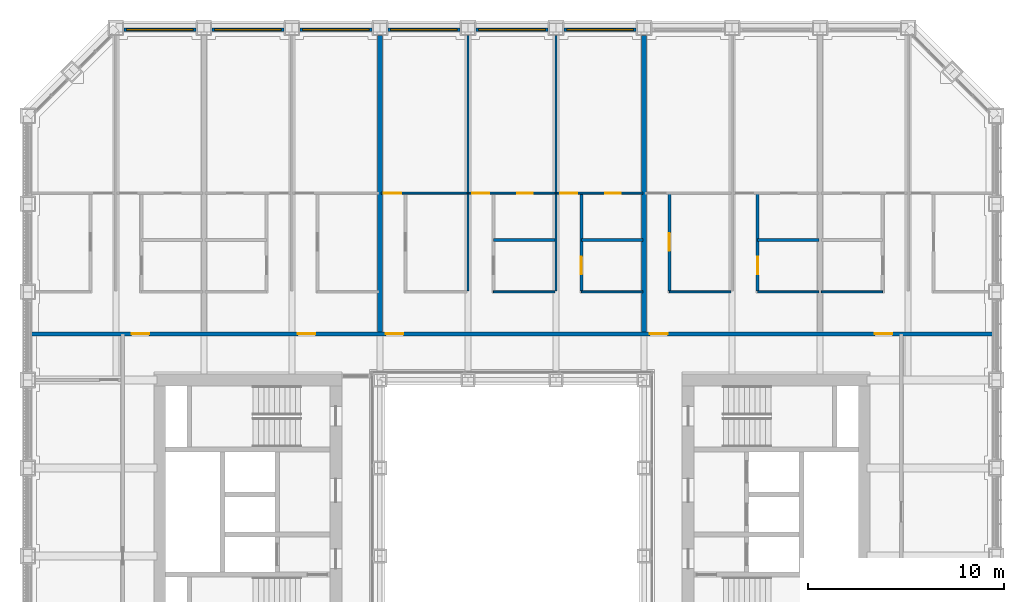
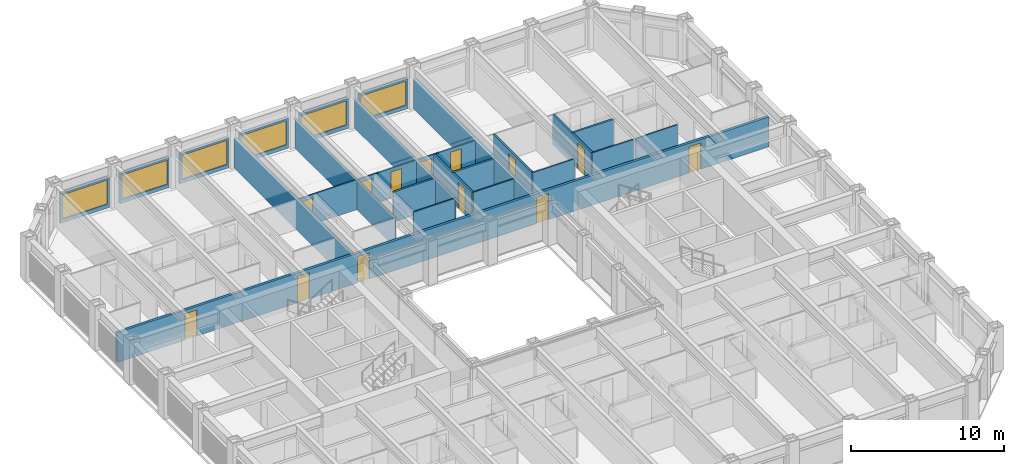
# One storey, part 14 of 21: 25 walls, 13 doors, 6 windows, 19 openings.
"""IFC4 building model written with IfcOpenShell, lengths in metres."""

import ifcopenshell
import ifcopenshell.guid

model = None  # the IFC model being written
_history = None  # IfcOwnerHistory: only IFC2X3 demands one
_inside = {}  # id of a spatial element -> (the spatial element, [elements in it])
_under = {}  # id of a project, library or spatial element -> (it, [spatial elements below it])
_declared = {}  # id of a project -> (the project, [libraries it declares])
_typed = {}  # id of a type object -> (the type object, [elements of that type])
_made_of = {}  # id of a material, layer set ... -> (it, [elements and type objects made of it])


def new_model(schema):
    """Start an empty IFC model of exactly this schema.

    Asked for "IFC4X3", IfcOpenShell would pick the latest addendum, in which some entities
    have other attributes; the version numbers below select the first issue.
    IFC2X3 requires an IfcOwnerHistory on every rooted entity: one is made here for all.
    """
    global model, _history
    if schema == "IFC4X3":
        model = ifcopenshell.file(schema_version=(4, 3, 0, 0))
    else:
        model = ifcopenshell.file(schema=schema)
    _inside.clear()
    _under.clear()
    _declared.clear()
    _typed.clear()
    _made_of.clear()
    _history = None
    if model.schema == "IFC2X3":
        org = make("IfcOrganization", Name="unknown")
        user = make(
            "IfcPersonAndOrganization",
            ThePerson=make("IfcPerson", FamilyName="unknown"),
            TheOrganization=org,
        )
        app = make(
            "IfcApplication",
            ApplicationDeveloper=org,
            Version="unknown",
            ApplicationFullName="unknown",
            ApplicationIdentifier="unknown",
        )
        _history = make(
            "IfcOwnerHistory",
            OwningUser=user,
            OwningApplication=app,
            ChangeAction="ADDED",
            CreationDate=0,
        )
    return model


def make(cls, **values):
    """One entity of the class cls with the attributes given. An attribute that is None is left unset."""
    return model.create_entity(
        cls, **{name: value for name, value in values.items() if value is not None}
    )


def rooted(cls, **values):
    """An entity with a GlobalId (a new one), such as an element, a storey or a relation."""
    return make(cls, GlobalId=ifcopenshell.guid.new(), OwnerHistory=_history, **values)


def si_unit(unit_type, name, prefix=None):
    """IfcSIUnit, for example si_unit("LENGTHUNIT", "METRE", prefix="MILLI")."""
    return make("IfcSIUnit", UnitType=unit_type, Prefix=prefix, Name=name)


def assignment(units):
    """IfcUnitAssignment: the units of a project."""
    return None if units is None else make("IfcUnitAssignment", Units=units)


def point(xyz):
    """IfcCartesianPoint."""
    return None if xyz is None else make("IfcCartesianPoint", Coordinates=xyz)


def direction(xyz):
    """IfcDirection."""
    return None if xyz is None else make("IfcDirection", DirectionRatios=xyz)


def frame(location, z_axis=None, x_axis=None):
    """IfcAxis2Placement3D, a coordinate frame: its origin and axes. An axis left out is left unset."""
    return make(
        "IfcAxis2Placement3D",
        Location=point(location),
        Axis=direction(z_axis),
        RefDirection=direction(x_axis),
    )


def frame_2d(location, x_axis=None):
    """IfcAxis2Placement2D, a coordinate frame in the plane: its origin and x axis."""
    return make(
        "IfcAxis2Placement2D", Location=point(location), RefDirection=direction(x_axis)
    )


def origin():
    """The frame at (0, 0, 0) with its axes left unset."""
    return frame((0.0, 0.0, 0.0))


def place(relative_to, where):
    """IfcLocalPlacement: puts the frame where relative to a parent placement (None: the world)."""
    return make(
        "IfcLocalPlacement", PlacementRelTo=relative_to, RelativePlacement=where
    )


def context(
    kind, dimensions, precision=None, world=None, true_north=None, identifier=None
):
    """IfcGeometricRepresentationContext, for example the 3D "Model" context."""
    return make(
        "IfcGeometricRepresentationContext",
        ContextIdentifier=identifier,
        ContextType=kind,
        CoordinateSpaceDimension=dimensions,
        Precision=precision,
        WorldCoordinateSystem=world,
        TrueNorth=true_north,
    )


def subcontext(parent, identifier, kind, view, scale=None):
    """IfcGeometricRepresentationSubContext, for example "Body" below "Model"."""
    return make(
        "IfcGeometricRepresentationSubContext",
        ContextIdentifier=identifier,
        ContextType=kind,
        ParentContext=parent,
        TargetScale=scale,
        TargetView=view,
    )


def project(units=None, contexts=None):
    """IfcProject with its units and contexts."""
    return rooted(
        "IfcProject",
        Name="project",
        RepresentationContexts=contexts,
        UnitsInContext=assignment(units),
    )


def spatial(cls, under=None, at=None, **own):
    """A site, building, storey or space (cls), placed at a placement, below another one or the project."""
    s = rooted(cls, ObjectPlacement=at, **own)
    if under is not None:
        _under.setdefault(under.id(), (under, []))[1].append(s)
    return s


def profile(cls, at=None, kind="AREA", **sizes):
    """A parametric profile (cls). Its sizes go by their IFC names, for example OverallWidth=200.0."""
    return make(cls, ProfileType=kind, Position=at, **sizes)


def rectangle(**sizes):
    """IfcRectangleProfileDef."""
    return profile("IfcRectangleProfileDef", **sizes)


def extrude(swept, where, along, depth):
    """IfcExtrudedAreaSolid: the profile swept, set in the frame where, extruded along a direction by depth."""
    return make(
        "IfcExtrudedAreaSolid",
        SweptArea=swept,
        Position=where,
        ExtrudedDirection=direction(along),
        Depth=depth,
    )


def shape(context_of_items, identifier, shape_type, items):
    """IfcShapeRepresentation: the items that make up one representation, for example the "Body"."""
    return make(
        "IfcShapeRepresentation",
        ContextOfItems=context_of_items,
        RepresentationIdentifier=identifier,
        RepresentationType=shape_type,
        Items=items,
    )


def material(Name=None, Category=None):
    """IfcMaterial."""
    return make("IfcMaterial", Name=Name, Category=Category)


def layer(
    of_material, thickness, ventilated=None, Name=None, Category=None, Priority=None
):
    """IfcMaterialLayer: one layer of a wall or slab, of a material (None: an air gap)."""
    return make(
        "IfcMaterialLayer",
        Material=of_material,
        LayerThickness=thickness,
        IsVentilated=ventilated,
        Name=Name,
        Category=Category,
        Priority=Priority,
    )


def layer_set(layers, Name=None):
    """IfcMaterialLayerSet."""
    return make("IfcMaterialLayerSet", MaterialLayers=layers, LayerSetName=Name)


def made_of(thing, what):
    """Note that an element or type object is made of a material, layer set ...; save() writes the relation."""
    if what is not None:
        _made_of.setdefault(what.id(), (what, []))[1].append(thing)
    return thing


def type_object(cls, material=None, **own):
    """A type object (cls), such as IfcWallType, which elements share."""
    return made_of(rooted(cls, **own), material)


def element(
    cls,
    number,
    at=None,
    inside=None,
    cuts=None,
    type_object=None,
    material=None,
    context=None,
    identifier="Body",
    shape_type=None,
    held_by="IfcProductDefinitionShape",
    body=None,
    shapes=None,
    **own,
):
    """One element of the class cls, such as IfcWall. Its Tag is "e" and its number.

    at: its placement. inside: the storey or other place that contains it. cuts: it is an
    opening in that element (IfcRelVoidsElement). A single representation is given by context,
    identifier, shape_type and body (its items); several are given by shapes. held_by: the class
    of the entity that holds the representations. save() writes the other relations.
    """
    e = rooted(cls, Tag="e%d" % number, ObjectPlacement=at, **own)
    if body is not None:
        shapes = [shape(context, identifier, shape_type, body)]
    if shapes is not None:
        e.Representation = make(held_by, Representations=shapes)
    if inside is not None:
        _inside.setdefault(inside.id(), (inside, []))[1].append(e)
    if cuts is not None:
        rooted(
            "IfcRelVoidsElement", RelatingBuildingElement=cuts, RelatedOpeningElement=e
        )
    if type_object is not None:
        _typed.setdefault(type_object.id(), (type_object, []))[1].append(e)
    return made_of(e, material)


def fill(opening, filler):
    """IfcRelFillsElement: the door or window that sits in an opening."""
    return rooted(
        "IfcRelFillsElement",
        RelatingOpeningElement=opening,
        RelatedBuildingElement=filler,
    )


def aggregate(whole, parts):
    """IfcRelAggregates: a whole, such as a stair, and the parts it consists of."""
    return rooted("IfcRelAggregates", RelatingObject=whole, RelatedObjects=parts)


def save(model, path):
    """Write the relations noted so far, then the file.

    IfcRelAggregates (storeys below a building ...), IfcRelContainedInSpatialStructure (elements
    in a storey), IfcRelDefinesByType, IfcRelAssociatesMaterial and IfcRelDeclares: one each for
    every whole, place, type object, material and project.
    """
    for whole, parts in _under.values():
        aggregate(whole, parts)
    for where, things in _inside.values():
        rooted(
            "IfcRelContainedInSpatialStructure",
            RelatedElements=things,
            RelatingStructure=where,
        )
    for kind, things in _typed.values():
        rooted("IfcRelDefinesByType", RelatedObjects=things, RelatingType=kind)
    for what, things in _made_of.values():
        rooted("IfcRelAssociatesMaterial", RelatedObjects=things, RelatingMaterial=what)
    for by, libraries in _declared.values():
        rooted("IfcRelDeclares", RelatingContext=by, RelatedDefinitions=libraries)
    model.write(path)


model = new_model("IFC4")

# Units and contexts
model_context = context("Model", 3, precision=1e-05, world=origin(), true_north=direction((0.0, 1.0)))
body_context = subcontext(model_context, "Body", "Model", "MODEL_VIEW")
ifc_project = project(units=[si_unit("LENGTHUNIT", "METRE"), si_unit("AREAUNIT", "SQUARE_METRE"), si_unit("VOLUMEUNIT", "CUBIC_METRE"), si_unit("PLANEANGLEUNIT", "RADIAN"), si_unit("MASSUNIT", "GRAM", prefix="KILO")], contexts=[model_context])

# Site, building, storey
site_placement = place(None, origin())
site = spatial("IfcSite", under=ifc_project, at=site_placement, CompositionType="ELEMENT")
building_placement = place(site_placement, origin())
building = spatial("IfcBuilding", under=site, at=building_placement, Name="Msasa Ring Tower", CompositionType="ELEMENT")
storey_placement = place(building_placement, frame((0.0, 0.0, 47.5)))
storey = spatial("IfcBuildingStorey", under=building, at=storey_placement, Name="L11", CompositionType="ELEMENT", Elevation=47.5)

# Wall, opening, window
ifc_material_1 = material(Name="Terracotta rainscreen on blockwork", Category="masonry")
ifc_layer_1 = layer(ifc_material_1, 0.199951171875)
ifc_layer_set_1 = layer_set([ifc_layer_1], Name="FW1 TERRACOTTA-LINED INFILL BAY WALL 200")
wall_type_1 = type_object("IfcWallType", Name="FW1 TERRACOTTA-LINED INFILL BAY WALL 200", PredefinedType="SOLIDWALL", material=ifc_layer_set_1)
wall_1_placement = place(storey_placement, frame((-19.844970703125, 24.64990234375, 0.0), z_axis=(0.0, 0.0, 1.0), x_axis=(1.0, 0.0, 0.0)))
wall_1 = element("IfcWall", 1, at=wall_1_placement, inside=storey, type_object=wall_type_1, Name="Infill bay wall N L11 22", PredefinedType="SOLIDWALL", context=body_context, shape_type="SweptSolid", body=[
    extrude(rectangle(XDim=3.68994140625, YDim=0.199951171875, at=frame_2d((1.844970703125, 0.0))), origin(), (0.0, 0.0, 1.0), 2.37890625),
])
opening_1_placement = place(wall_1_placement, frame((0.14501953125, 0.0, 0.300048828125)))
opening_1 = element("IfcOpeningElement", 2, at=opening_1_placement, cuts=wall_1, Name="Opening WN1", PredefinedType="OPENING", context=body_context, shape_type="SweptSolid", body=[
    extrude(rectangle(XDim=3.39990234375, YDim=1.928955078125, at=frame_2d((1.699951171875, 0.96435546875))), frame((0.0, 0.10986328125, 0.0), z_axis=(0.0, -1.0, 0.0), x_axis=(1.0, 0.0, 0.0)), (0.0, 0.0, 1.0), 0.219970703125),
])
ifc_material_2 = material(Name="Aluminium frame with clear glass", Category="aluminium")
window_type = type_object("IfcWindowType", Name="WN1 RESIDENCE WINDOW 3400x1929", PartitioningType="SINGLE_PANEL", PredefinedType="WINDOW", material=ifc_material_2)
window_1_placement = place(opening_1_placement, origin())
window_1 = element("IfcWindow", 3, at=window_1_placement, inside=storey, type_object=window_type, Name="Window N L11 22", OverallHeight=1.928955078125, OverallWidth=3.39990234375, PartitioningType="SINGLE_PANEL", PredefinedType="WINDOW", context=body_context, shape_type="SweptSolid", body=[
    extrude(rectangle(XDim=3.39990234375, YDim=1.928955078125, at=frame_2d((1.699951171875, 0.96435546875))), frame((0.0, 0.030029296875, 0.0), z_axis=(0.0, -1.0, 0.0), x_axis=(1.0, 0.0, 0.0)), (0.0, 0.0, 1.0), 0.06005859375),
])
fill(opening_1, window_1)

wall_2_placement = place(storey_placement, frame((-15.344970703125, 24.64990234375, 0.0), z_axis=(0.0, 0.0, 1.0), x_axis=(1.0, 0.0, 0.0)))
wall_2 = element("IfcWall", 4, at=wall_2_placement, inside=storey, type_object=wall_type_1, Name="Infill bay wall N L11 23", PredefinedType="SOLIDWALL", context=body_context, shape_type="SweptSolid", body=[
    extrude(rectangle(XDim=3.68994140625, YDim=0.199951171875, at=frame_2d((1.844970703125, 0.0))), origin(), (0.0, 0.0, 1.0), 2.37890625),
])
opening_2_placement = place(wall_2_placement, frame((0.14501953125, 0.0, 0.300048828125)))
opening_2 = element("IfcOpeningElement", 5, at=opening_2_placement, cuts=wall_2, Name="Opening WN1", PredefinedType="OPENING", context=body_context, shape_type="SweptSolid", body=[
    extrude(rectangle(XDim=3.39990234375, YDim=1.928955078125, at=frame_2d((1.699951171875, 0.96435546875))), frame((0.0, 0.10986328125, 0.0), z_axis=(0.0, -1.0, 0.0), x_axis=(1.0, 0.0, 0.0)), (0.0, 0.0, 1.0), 0.219970703125),
])
window_2_placement = place(opening_2_placement, origin())
window_2 = element("IfcWindow", 6, at=window_2_placement, inside=storey, type_object=window_type, Name="Window N L11 23", OverallHeight=1.928955078125, OverallWidth=3.39990234375, PartitioningType="SINGLE_PANEL", PredefinedType="WINDOW", context=body_context, shape_type="SweptSolid", body=[
    extrude(rectangle(XDim=3.39990234375, YDim=1.928955078125, at=frame_2d((1.699951171875, 0.96435546875))), frame((0.0, 0.030029296875, 0.0), z_axis=(0.0, -1.0, 0.0), x_axis=(1.0, 0.0, 0.0)), (0.0, 0.0, 1.0), 0.06005859375),
])
fill(opening_2, window_2)

wall_3_placement = place(storey_placement, frame((-10.844970703125, 24.64990234375, 0.0), z_axis=(0.0, 0.0, 1.0), x_axis=(1.0, 0.0, 0.0)))
wall_3 = element("IfcWall", 7, at=wall_3_placement, inside=storey, type_object=wall_type_1, Name="Infill bay wall N L11 24", PredefinedType="SOLIDWALL", context=body_context, shape_type="SweptSolid", body=[
    extrude(rectangle(XDim=3.68994140625, YDim=0.199951171875, at=frame_2d((1.844970703125, 0.0))), origin(), (0.0, 0.0, 1.0), 2.37890625),
])
opening_3_placement = place(wall_3_placement, frame((0.14501953125, 0.0, 0.300048828125)))
opening_3 = element("IfcOpeningElement", 8, at=opening_3_placement, cuts=wall_3, Name="Opening WN1", PredefinedType="OPENING", context=body_context, shape_type="SweptSolid", body=[
    extrude(rectangle(XDim=3.39990234375, YDim=1.928955078125, at=frame_2d((1.699951171875, 0.96435546875))), frame((0.0, 0.10986328125, 0.0), z_axis=(0.0, -1.0, 0.0), x_axis=(1.0, 0.0, 0.0)), (0.0, 0.0, 1.0), 0.219970703125),
])
window_3_placement = place(opening_3_placement, origin())
window_3 = element("IfcWindow", 9, at=window_3_placement, inside=storey, type_object=window_type, Name="Window N L11 24", OverallHeight=1.928955078125, OverallWidth=3.39990234375, PartitioningType="SINGLE_PANEL", PredefinedType="WINDOW", context=body_context, shape_type="SweptSolid", body=[
    extrude(rectangle(XDim=3.39990234375, YDim=1.928955078125, at=frame_2d((1.699951171875, 0.96435546875))), frame((0.0, 0.030029296875, 0.0), z_axis=(0.0, -1.0, 0.0), x_axis=(1.0, 0.0, 0.0)), (0.0, 0.0, 1.0), 0.06005859375),
])
fill(opening_3, window_3)

wall_4_placement = place(storey_placement, frame((-6.344970703125, 24.64990234375, 0.0), z_axis=(0.0, 0.0, 1.0), x_axis=(1.0, 0.0, 0.0)))
wall_4 = element("IfcWall", 10, at=wall_4_placement, inside=storey, type_object=wall_type_1, Name="Infill bay wall N L11 25", PredefinedType="SOLIDWALL", context=body_context, shape_type="SweptSolid", body=[
    extrude(rectangle(XDim=3.68994140625, YDim=0.199951171875, at=frame_2d((1.844970703125, 0.0))), origin(), (0.0, 0.0, 1.0), 2.37890625),
])
opening_4_placement = place(wall_4_placement, frame((0.14501953125, 0.0, 0.300048828125)))
opening_4 = element("IfcOpeningElement", 11, at=opening_4_placement, cuts=wall_4, Name="Opening WN1", PredefinedType="OPENING", context=body_context, shape_type="SweptSolid", body=[
    extrude(rectangle(XDim=3.39990234375, YDim=1.928955078125, at=frame_2d((1.699951171875, 0.96435546875))), frame((0.0, 0.10986328125, 0.0), z_axis=(0.0, -1.0, 0.0), x_axis=(1.0, 0.0, 0.0)), (0.0, 0.0, 1.0), 0.219970703125),
])
window_4_placement = place(opening_4_placement, origin())
window_4 = element("IfcWindow", 12, at=window_4_placement, inside=storey, type_object=window_type, Name="Window N L11 25", OverallHeight=1.928955078125, OverallWidth=3.39990234375, PartitioningType="SINGLE_PANEL", PredefinedType="WINDOW", context=body_context, shape_type="SweptSolid", body=[
    extrude(rectangle(XDim=3.39990234375, YDim=1.928955078125, at=frame_2d((1.699951171875, 0.96435546875))), frame((0.0, 0.030029296875, 0.0), z_axis=(0.0, -1.0, 0.0), x_axis=(1.0, 0.0, 0.0)), (0.0, 0.0, 1.0), 0.06005859375),
])
fill(opening_4, window_4)

wall_5_placement = place(storey_placement, frame((-1.844970703125, 24.64990234375, 0.0), z_axis=(0.0, 0.0, 1.0), x_axis=(1.0, 0.0, 0.0)))
wall_5 = element("IfcWall", 13, at=wall_5_placement, inside=storey, type_object=wall_type_1, Name="Infill bay wall N L11 26", PredefinedType="SOLIDWALL", context=body_context, shape_type="SweptSolid", body=[
    extrude(rectangle(XDim=3.68994140625, YDim=0.199951171875, at=frame_2d((1.844970703125, 0.0))), origin(), (0.0, 0.0, 1.0), 2.37890625),
])
opening_5_placement = place(wall_5_placement, frame((0.14501953125, 0.0, 0.300048828125)))
opening_5 = element("IfcOpeningElement", 14, at=opening_5_placement, cuts=wall_5, Name="Opening WN1", PredefinedType="OPENING", context=body_context, shape_type="SweptSolid", body=[
    extrude(rectangle(XDim=3.39990234375, YDim=1.928955078125, at=frame_2d((1.699951171875, 0.96435546875))), frame((0.0, 0.10986328125, 0.0), z_axis=(0.0, -1.0, 0.0), x_axis=(1.0, 0.0, 0.0)), (0.0, 0.0, 1.0), 0.219970703125),
])
window_5_placement = place(opening_5_placement, origin())
window_5 = element("IfcWindow", 15, at=window_5_placement, inside=storey, type_object=window_type, Name="Window N L11 26", OverallHeight=1.928955078125, OverallWidth=3.39990234375, PartitioningType="SINGLE_PANEL", PredefinedType="WINDOW", context=body_context, shape_type="SweptSolid", body=[
    extrude(rectangle(XDim=3.39990234375, YDim=1.928955078125, at=frame_2d((1.699951171875, 0.96435546875))), frame((0.0, 0.030029296875, 0.0), z_axis=(0.0, -1.0, 0.0), x_axis=(1.0, 0.0, 0.0)), (0.0, 0.0, 1.0), 0.06005859375),
])
fill(opening_5, window_5)

wall_6_placement = place(storey_placement, frame((2.655029296875, 24.64990234375, 0.0), z_axis=(0.0, 0.0, 1.0), x_axis=(1.0, 0.0, 0.0)))
wall_6 = element("IfcWall", 16, at=wall_6_placement, inside=storey, type_object=wall_type_1, Name="Infill bay wall N L11 27", PredefinedType="SOLIDWALL", context=body_context, shape_type="SweptSolid", body=[
    extrude(rectangle(XDim=3.68994140625, YDim=0.199951171875, at=frame_2d((1.844970703125, 0.0))), origin(), (0.0, 0.0, 1.0), 2.37890625),
])
opening_6_placement = place(wall_6_placement, frame((0.14501953125, 0.0, 0.300048828125)))
opening_6 = element("IfcOpeningElement", 17, at=opening_6_placement, cuts=wall_6, Name="Opening WN1", PredefinedType="OPENING", context=body_context, shape_type="SweptSolid", body=[
    extrude(rectangle(XDim=3.39990234375, YDim=1.928955078125, at=frame_2d((1.699951171875, 0.96435546875))), frame((0.0, 0.10986328125, 0.0), z_axis=(0.0, -1.0, 0.0), x_axis=(1.0, 0.0, 0.0)), (0.0, 0.0, 1.0), 0.219970703125),
])
window_6_placement = place(opening_6_placement, origin())
window_6 = element("IfcWindow", 18, at=window_6_placement, inside=storey, type_object=window_type, Name="Window N L11 27", OverallHeight=1.928955078125, OverallWidth=3.39990234375, PartitioningType="SINGLE_PANEL", PredefinedType="WINDOW", context=body_context, shape_type="SweptSolid", body=[
    extrude(rectangle(XDim=3.39990234375, YDim=1.928955078125, at=frame_2d((1.699951171875, 0.96435546875))), frame((0.0, 0.030029296875, 0.0), z_axis=(0.0, -1.0, 0.0), x_axis=(1.0, 0.0, 0.0)), (0.0, 0.0, 1.0), 0.06005859375),
])
fill(opening_6, window_6)

# Wall, openings, doors
ifc_material_3 = material(Name="Concrete blockwork", Category="masonry")
ifc_layer_2 = layer(ifc_material_3, 0.199951171875)
ifc_layer_set_2 = layer_set([ifc_layer_2], Name="PT1 CORRIDOR WALL 200")
wall_type_2 = type_object("IfcWallType", Name="PT1 CORRIDOR WALL 200", PredefinedType="PARTITIONING", material=ifc_layer_set_2)
wall_7_placement = place(storey_placement, frame((-24.550048828125, 9.10009765625, 0.0), z_axis=(0.0, 0.0, 1.0), x_axis=(1.0, 0.0, 0.0)))
wall_7 = element("IfcWall", 19, at=wall_7_placement, inside=storey, type_object=wall_type_2, Name="Corridor wall L11-CORRN0", PredefinedType="PARTITIONING", context=body_context, shape_type="SweptSolid", body=[
    extrude(rectangle(XDim=49.10009765625, YDim=0.199951171875, at=frame_2d((24.550048828125, 0.0))), origin(), (0.0, 0.0, 1.0), 2.373291015625),
])
opening_7_placement = place(wall_7_placement, frame((5.10009765625, 0.0, 0.0)))
opening_7 = element("IfcOpeningElement", 20, at=opening_7_placement, cuts=wall_7, Name="Opening RC-029", PredefinedType="OPENING", context=body_context, shape_type="SweptSolid", body=[
    extrude(rectangle(XDim=0.89990234375, YDim=2.10009765625, at=frame_2d((0.449951171875, 1.050048828125))), frame((0.0, 0.10986328125, 0.0), z_axis=(0.0, -1.0, 0.0), x_axis=(1.0, 0.0, 0.0)), (0.0, 0.0, 1.0), 0.219970703125),
])
opening_8_placement = place(wall_7_placement, frame((13.60009765625, 0.0, 0.0)))
opening_8 = element("IfcOpeningElement", 21, at=opening_8_placement, cuts=wall_7, Name="Opening RC-030", PredefinedType="OPENING", context=body_context, shape_type="SweptSolid", body=[
    extrude(rectangle(XDim=0.89990234375, YDim=2.10009765625, at=frame_2d((0.449951171875, 1.050048828125))), frame((0.0, 0.10986328125, 0.0), z_axis=(0.0, -1.0, 0.0), x_axis=(1.0, 0.0, 0.0)), (0.0, 0.0, 1.0), 0.219970703125),
])
opening_9_placement = place(wall_7_placement, frame((18.10009765625, 0.0, 0.0)))
opening_9 = element("IfcOpeningElement", 22, at=opening_9_placement, cuts=wall_7, Name="Opening RC-031", PredefinedType="OPENING", context=body_context, shape_type="SweptSolid", body=[
    extrude(rectangle(XDim=0.89990234375, YDim=2.10009765625, at=frame_2d((0.449951171875, 1.050048828125))), frame((0.0, 0.10986328125, 0.0), z_axis=(0.0, -1.0, 0.0), x_axis=(1.0, 0.0, 0.0)), (0.0, 0.0, 1.0), 0.219970703125),
])
opening_10_placement = place(wall_7_placement, frame((31.60009765625, 0.0, 0.0)))
opening_10 = element("IfcOpeningElement", 23, at=opening_10_placement, cuts=wall_7, Name="Opening RC-032", PredefinedType="OPENING", context=body_context, shape_type="SweptSolid", body=[
    extrude(rectangle(XDim=0.89990234375, YDim=2.10009765625, at=frame_2d((0.449951171875, 1.050048828125))), frame((0.0, 0.10986328125, 0.0), z_axis=(0.0, -1.0, 0.0), x_axis=(1.0, 0.0, 0.0)), (0.0, 0.0, 1.0), 0.219970703125),
])
opening_11_placement = place(wall_7_placement, frame((43.10009765625, 0.0, 0.0)))
opening_11 = element("IfcOpeningElement", 24, at=opening_11_placement, cuts=wall_7, Name="Opening RC-033", PredefinedType="OPENING", context=body_context, shape_type="SweptSolid", body=[
    extrude(rectangle(XDim=0.89990234375, YDim=2.10009765625, at=frame_2d((0.449951171875, 1.050048828125))), frame((0.0, 0.10986328125, 0.0), z_axis=(0.0, -1.0, 0.0), x_axis=(1.0, 0.0, 0.0)), (0.0, 0.0, 1.0), 0.219970703125),
])
ifc_material_4 = material(Name="Timber door leaf in a steel frame", Category="steel")
door_type_1 = type_object("IfcDoorType", Name="D2 ENTRANCE DOOR 900x2100", OperationType="SINGLE_SWING_LEFT", PredefinedType="DOOR", material=ifc_material_4)
door_1_placement = place(opening_7_placement, origin())
door_1 = element("IfcDoor", 25, at=door_1_placement, inside=storey, type_object=door_type_1, Name="Door L11-UN00", OperationType="SINGLE_SWING_LEFT", OverallHeight=2.10009765625, OverallWidth=0.89990234375, PredefinedType="DOOR", context=body_context, shape_type="SweptSolid", body=[
    extrude(rectangle(XDim=0.89990234375, YDim=2.10009765625, at=frame_2d((0.449951171875, 1.050048828125))), frame((0.0, 0.02490234375, 0.0), z_axis=(0.0, -1.0, 0.0), x_axis=(1.0, 0.0, 0.0)), (0.0, 0.0, 1.0), 0.050048828125),
])
fill(opening_7, door_1)
door_2_placement = place(opening_8_placement, origin())
door_2 = element("IfcDoor", 26, at=door_2_placement, inside=storey, type_object=door_type_1, Name="Door L11-UN01", OperationType="SINGLE_SWING_LEFT", OverallHeight=2.10009765625, OverallWidth=0.89990234375, PredefinedType="DOOR", context=body_context, shape_type="SweptSolid", body=[
    extrude(rectangle(XDim=0.89990234375, YDim=2.10009765625, at=frame_2d((0.449951171875, 1.050048828125))), frame((0.0, 0.02490234375, 0.0), z_axis=(0.0, -1.0, 0.0), x_axis=(1.0, 0.0, 0.0)), (0.0, 0.0, 1.0), 0.050048828125),
])
fill(opening_8, door_2)
door_3_placement = place(opening_9_placement, origin())
door_3 = element("IfcDoor", 27, at=door_3_placement, inside=storey, type_object=door_type_1, Name="Door L11-UN02", OperationType="SINGLE_SWING_LEFT", OverallHeight=2.10009765625, OverallWidth=0.89990234375, PredefinedType="DOOR", context=body_context, shape_type="SweptSolid", body=[
    extrude(rectangle(XDim=0.89990234375, YDim=2.10009765625, at=frame_2d((0.449951171875, 1.050048828125))), frame((0.0, 0.02490234375, 0.0), z_axis=(0.0, -1.0, 0.0), x_axis=(1.0, 0.0, 0.0)), (0.0, 0.0, 1.0), 0.050048828125),
])
fill(opening_9, door_3)
door_4_placement = place(opening_10_placement, origin())
door_4 = element("IfcDoor", 28, at=door_4_placement, inside=storey, type_object=door_type_1, Name="Door L11-UN03", OperationType="SINGLE_SWING_RIGHT", OverallHeight=2.10009765625, OverallWidth=0.89990234375, PredefinedType="DOOR", context=body_context, shape_type="SweptSolid", body=[
    extrude(rectangle(XDim=0.89990234375, YDim=2.10009765625, at=frame_2d((0.449951171875, 1.050048828125))), frame((0.0, 0.02490234375, 0.0), z_axis=(0.0, -1.0, 0.0), x_axis=(1.0, 0.0, 0.0)), (0.0, 0.0, 1.0), 0.050048828125),
])
fill(opening_10, door_4)
door_5_placement = place(opening_11_placement, origin())
door_5 = element("IfcDoor", 29, at=door_5_placement, inside=storey, type_object=door_type_1, Name="Door L11-UN04", OperationType="SINGLE_SWING_RIGHT", OverallHeight=2.10009765625, OverallWidth=0.89990234375, PredefinedType="DOOR", context=body_context, shape_type="SweptSolid", body=[
    extrude(rectangle(XDim=0.89990234375, YDim=2.10009765625, at=frame_2d((0.449951171875, 1.050048828125))), frame((0.0, 0.02490234375, 0.0), z_axis=(0.0, -1.0, 0.0), x_axis=(1.0, 0.0, 0.0)), (0.0, 0.0, 1.0), 0.050048828125),
])
fill(opening_11, door_5)

# Wall, opening, door
ifc_material_5 = material(Name="Gypsum board on steel studs", Category="steel")
ifc_layer_3 = layer(ifc_material_5, 0.10009765625)
ifc_layer_set_3 = layer_set([ifc_layer_3], Name="PT2 STUD PARTITION 100")
wall_type_3 = type_object("IfcWallType", Name="PT2 STUD PARTITION 100", PredefinedType="PARTITIONING", material=ifc_layer_set_3)
wall_8_placement = place(storey_placement, frame((-6.68994140625, 16.300048828125, 0.0), z_axis=(0.0, 0.0, 1.0), x_axis=(1.0, 0.0, 0.0)))
wall_8 = element("IfcWall", 30, at=wall_8_placement, inside=storey, type_object=wall_type_3, Name="Partition L11-UN02SY0", PredefinedType="PARTITIONING", context=body_context, shape_type="SweptSolid", body=[
    extrude(rectangle(XDim=4.389892578125, YDim=0.10009765625, at=frame_2d((2.19482421875, 0.0))), origin(), (0.0, 0.0, 1.0), 2.373291015625),
])
opening_12_placement = place(wall_8_placement, frame((0.139892578125, 0.0, 0.0)))
opening_12 = element("IfcOpeningElement", 31, at=opening_12_placement, cuts=wall_8, Name="Opening RC-007", PredefinedType="OPENING", context=body_context, shape_type="SweptSolid", body=[
    extrude(rectangle(XDim=0.89990234375, YDim=2.10009765625, at=frame_2d((0.449951171875, 1.050048828125))), frame((0.0, 0.06005859375, 0.0), z_axis=(0.0, -1.0, 0.0), x_axis=(1.0, 0.0, 0.0)), (0.0, 0.0, 1.0), 0.1201171875),
])
ifc_material_6 = material(Name="Timber door leaf in a steel frame", Category="steel")
door_type_2 = type_object("IfcDoorType", Name="D22 INTERNAL HALL DOOR 900x2100", OperationType="SINGLE_SWING_LEFT", PredefinedType="DOOR", material=ifc_material_6)
door_6_placement = place(opening_12_placement, origin())
door_6 = element("IfcDoor", 32, at=door_6_placement, inside=storey, type_object=door_type_2, Name="Door L11-UN02L", OperationType="SINGLE_SWING_LEFT", OverallHeight=2.10009765625, OverallWidth=0.89990234375, PredefinedType="DOOR", context=body_context, shape_type="SweptSolid", body=[
    extrude(rectangle(XDim=0.89990234375, YDim=2.10009765625, at=frame_2d((0.449951171875, 1.050048828125))), frame((0.0, 0.02490234375, 0.0), z_axis=(0.0, -1.0, 0.0), x_axis=(1.0, 0.0, 0.0)), (0.0, 0.0, 1.0), 0.050048828125),
])
fill(opening_12, door_6)

# Walls
wall_9_placement = place(storey_placement, frame((-2.25, 11.300048828125, 0.0), z_axis=(0.0, 0.0, 1.0), x_axis=(0.0, 1.0, 0.0)))
element("IfcWall", 33, at=wall_9_placement, inside=storey, type_object=wall_type_3, Name="Partition L11-UN02P1", PredefinedType="PARTITIONING", context=body_context, shape_type="SweptSolid", body=[
    extrude(rectangle(XDim=13.050048828125, YDim=0.10009765625, at=frame_2d((6.52490234375, 0.0))), origin(), (0.0, 0.0, 1.0), 2.373291015625),
])
wall_10_placement = place(storey_placement, frame((-0.949951171875, 11.25, 0.0), z_axis=(0.0, 0.0, 1.0), x_axis=(1.0, 0.0, 0.0)))
element("IfcWall", 34, at=wall_10_placement, inside=storey, type_object=wall_type_3, Name="Partition L11-UN02HY1", PredefinedType="PARTITIONING", context=body_context, shape_type="SweptSolid", body=[
    extrude(rectangle(XDim=3.139892578125, YDim=0.10009765625, at=frame_2d((1.56982421875, 0.0))), origin(), (0.0, 0.0, 1.0), 2.373291015625),
])

# Wall, openings, doors
wall_11_placement = place(storey_placement, frame((-2.199951171875, 16.300048828125, 0.0), z_axis=(0.0, 0.0, 1.0), x_axis=(1.0, 0.0, 0.0)))
wall_11 = element("IfcWall", 35, at=wall_11_placement, inside=storey, type_object=wall_type_3, Name="Partition L11-UN02SY1", PredefinedType="PARTITIONING", context=body_context, shape_type="SweptSolid", body=[
    extrude(rectangle(XDim=4.39990234375, YDim=0.10009765625, at=frame_2d((2.199951171875, 0.0))), origin(), (0.0, 0.0, 1.0), 2.373291015625),
])
opening_13_placement = place(wall_11_placement, frame((0.175048828125, 0.0, 0.0)))
opening_13 = element("IfcOpeningElement", 36, at=opening_13_placement, cuts=wall_11, Name="Opening RC-008", PredefinedType="OPENING", context=body_context, shape_type="SweptSolid", body=[
    extrude(rectangle(XDim=0.85009765625, YDim=2.10009765625, at=frame_2d((0.425048828125, 1.050048828125))), frame((0.0, 0.06005859375, 0.0), z_axis=(0.0, -1.0, 0.0), x_axis=(1.0, 0.0, 0.0)), (0.0, 0.0, 1.0), 0.1201171875),
])
opening_14_placement = place(wall_11_placement, frame((2.4599609375, 0.0, 0.0)))
opening_14 = element("IfcOpeningElement", 37, at=opening_14_placement, cuts=wall_11, Name="Opening RC-009", PredefinedType="OPENING", context=body_context, shape_type="SweptSolid", body=[
    extrude(rectangle(XDim=0.800048828125, YDim=2.10009765625, at=frame_2d((0.39990234375, 1.050048828125))), frame((0.0, 0.06005859375, 0.0), z_axis=(0.0, -1.0, 0.0), x_axis=(1.0, 0.0, 0.0)), (0.0, 0.0, 1.0), 0.1201171875),
])
ifc_material_7 = material(Name="Timber door leaf in a steel frame", Category="steel")
door_type_3 = type_object("IfcDoorType", Name="D14 BEDROOM DOOR 850x2100", OperationType="SINGLE_SWING_LEFT", PredefinedType="DOOR", material=ifc_material_7)
door_7_placement = place(opening_13_placement, origin())
door_7 = element("IfcDoor", 38, at=door_7_placement, inside=storey, type_object=door_type_3, Name="Door L11-UN02R1", OperationType="SINGLE_SWING_LEFT", OverallHeight=2.10009765625, OverallWidth=0.85009765625, PredefinedType="DOOR", context=body_context, shape_type="SweptSolid", body=[
    extrude(rectangle(XDim=0.85009765625, YDim=2.10009765625, at=frame_2d((0.425048828125, 1.050048828125))), frame((0.0, 0.02490234375, 0.0), z_axis=(0.0, -1.0, 0.0), x_axis=(1.0, 0.0, 0.0)), (0.0, 0.0, 1.0), 0.050048828125),
])
fill(opening_13, door_7)
ifc_material_8 = material(Name="Timber door leaf in a steel frame", Category="steel")
door_type_4 = type_object("IfcDoorType", Name="D60 DRESSING ROOM DOOR 800x2100", OperationType="SINGLE_SWING_LEFT", PredefinedType="DOOR", material=ifc_material_8)
door_8_placement = place(opening_14_placement, origin())
door_8 = element("IfcDoor", 39, at=door_8_placement, inside=storey, type_object=door_type_4, Name="Door L11-UN02W1", OperationType="SINGLE_SWING_RIGHT", OverallHeight=2.10009765625, OverallWidth=0.800048828125, PredefinedType="DOOR", context=body_context, shape_type="SweptSolid", body=[
    extrude(rectangle(XDim=0.800048828125, YDim=2.10009765625, at=frame_2d((0.39990234375, 1.050048828125))), frame((0.0, 0.02490234375, 0.0), z_axis=(0.0, -1.0, 0.0), x_axis=(1.0, 0.0, 0.0)), (0.0, 0.0, 1.0), 0.050048828125),
])
fill(opening_14, door_8)

# Walls
wall_12_placement = place(storey_placement, frame((2.25, 11.300048828125, 0.0), z_axis=(0.0, 0.0, 1.0), x_axis=(0.0, 1.0, 0.0)))
element("IfcWall", 40, at=wall_12_placement, inside=storey, type_object=wall_type_3, Name="Partition L11-UN02P2", PredefinedType="PARTITIONING", context=body_context, shape_type="SweptSolid", body=[
    extrude(rectangle(XDim=13.050048828125, YDim=0.10009765625, at=frame_2d((6.52490234375, 0.0))), origin(), (0.0, 0.0, 1.0), 2.373291015625),
])
wall_13_placement = place(storey_placement, frame((3.550048828125, 11.25, 0.0), z_axis=(0.0, 0.0, 1.0), x_axis=(1.0, 0.0, 0.0)))
element("IfcWall", 41, at=wall_13_placement, inside=storey, type_object=wall_type_3, Name="Partition L11-UN02HY2", PredefinedType="PARTITIONING", context=body_context, shape_type="SweptSolid", body=[
    extrude(rectangle(XDim=3.139892578125, YDim=0.10009765625, at=frame_2d((1.56982421875, 0.0))), origin(), (0.0, 0.0, 1.0), 2.373291015625),
])

# Wall, openings, doors
wall_14_placement = place(storey_placement, frame((2.300048828125, 16.300048828125, 0.0), z_axis=(0.0, 0.0, 1.0), x_axis=(1.0, 0.0, 0.0)))
wall_14 = element("IfcWall", 42, at=wall_14_placement, inside=storey, type_object=wall_type_3, Name="Partition L11-UN02SY2", PredefinedType="PARTITIONING", context=body_context, shape_type="SweptSolid", body=[
    extrude(rectangle(XDim=4.389892578125, YDim=0.10009765625, at=frame_2d((2.19482421875, 0.0))), origin(), (0.0, 0.0, 1.0), 2.373291015625),
])
opening_15_placement = place(wall_14_placement, frame((0.175048828125, 0.0, 0.0)))
opening_15 = element("IfcOpeningElement", 43, at=opening_15_placement, cuts=wall_14, Name="Opening RC-010", PredefinedType="OPENING", context=body_context, shape_type="SweptSolid", body=[
    extrude(rectangle(XDim=0.85009765625, YDim=2.10009765625, at=frame_2d((0.425048828125, 1.050048828125))), frame((0.0, 0.06005859375, 0.0), z_axis=(0.0, -1.0, 0.0), x_axis=(1.0, 0.0, 0.0)), (0.0, 0.0, 1.0), 0.1201171875),
])
opening_16_placement = place(wall_14_placement, frame((2.4599609375, 0.0, 0.0)))
opening_16 = element("IfcOpeningElement", 44, at=opening_16_placement, cuts=wall_14, Name="Opening RC-011", PredefinedType="OPENING", context=body_context, shape_type="SweptSolid", body=[
    extrude(rectangle(XDim=0.800048828125, YDim=2.10009765625, at=frame_2d((0.39990234375, 1.050048828125))), frame((0.0, 0.06005859375, 0.0), z_axis=(0.0, -1.0, 0.0), x_axis=(1.0, 0.0, 0.0)), (0.0, 0.0, 1.0), 0.1201171875),
])
door_9_placement = place(opening_15_placement, origin())
door_9 = element("IfcDoor", 45, at=door_9_placement, inside=storey, type_object=door_type_3, Name="Door L11-UN02R2", OperationType="SINGLE_SWING_LEFT", OverallHeight=2.10009765625, OverallWidth=0.85009765625, PredefinedType="DOOR", context=body_context, shape_type="SweptSolid", body=[
    extrude(rectangle(XDim=0.85009765625, YDim=2.10009765625, at=frame_2d((0.425048828125, 1.050048828125))), frame((0.0, 0.02490234375, 0.0), z_axis=(0.0, -1.0, 0.0), x_axis=(1.0, 0.0, 0.0)), (0.0, 0.0, 1.0), 0.050048828125),
])
fill(opening_15, door_9)
door_10_placement = place(opening_16_placement, origin())
door_10 = element("IfcDoor", 46, at=door_10_placement, inside=storey, type_object=door_type_4, Name="Door L11-UN02W2", OperationType="SINGLE_SWING_RIGHT", OverallHeight=2.10009765625, OverallWidth=0.800048828125, PredefinedType="DOOR", context=body_context, shape_type="SweptSolid", body=[
    extrude(rectangle(XDim=0.800048828125, YDim=2.10009765625, at=frame_2d((0.39990234375, 1.050048828125))), frame((0.0, 0.02490234375, 0.0), z_axis=(0.0, -1.0, 0.0), x_axis=(1.0, 0.0, 0.0)), (0.0, 0.0, 1.0), 0.050048828125),
])
fill(opening_16, door_10)

# Walls
for number, where, z_axis, x_axis, name in (
    (47, (8.050048828125, 11.25, 0.0), (0.0, 0.0, 1.0), (1.0, 0.0, 0.0), "Partition L11-UN03HY0"),
    (48, (12.550048828125, 11.25, 0.0), (0.0, 0.0, 1.0), (1.0, 0.0, 0.0), "Partition L11-UN03HY1"),
    (49, (15.81005859375, 11.25, 0.0), (0.0, 0.0, 1.0), (1.0, 0.0, 0.0), "Partition L11-UN04HY1"),
):
    element("IfcWall", number, at=place(storey_placement, frame(where, z_axis=z_axis, x_axis=x_axis)), inside=storey, type_object=wall_type_3, Name=name, PredefinedType="PARTITIONING", context=body_context, shape_type="SweptSolid", body=[
        extrude(rectangle(XDim=3.139892578125, YDim=0.10009765625, at=frame_2d((1.56982421875, 0.0))), origin(), (0.0, 0.0, 1.0), 2.373291015625),
    ])
ifc_material_9 = material(Name="Dense concrete blockwork, plastered both faces", Category="masonry")
ifc_layer_4 = layer(ifc_material_9, 0.25)
ifc_layer_set_4 = layer_set([ifc_layer_4], Name="PT3 APARTMENT SEPARATING WALL 250")
wall_type_4 = type_object("IfcWallType", Name="PT3 APARTMENT SEPARATING WALL 250", PredefinedType="PARTITIONING", material=ifc_layer_set_4)
for number, where, z_axis, x_axis, name in (
    (50, (-6.75, 9.199951171875, 0.0), (0.0, 0.0, 1.0), (0.0, 1.0, 0.0), "Party wall L11-PWN-6.75"),
    (51, (6.75, 9.199951171875, 0.0), (0.0, 0.0, 1.0), (0.0, 1.0, 0.0), "Party wall L11-PWN+6.75"),
):
    element("IfcWall", number, at=place(storey_placement, frame(where, z_axis=z_axis, x_axis=x_axis)), inside=storey, type_object=wall_type_4, Name=name, PredefinedType="PARTITIONING", context=body_context, shape_type="SweptSolid", body=[
        extrude(rectangle(XDim=15.150146484375, YDim=0.25, at=frame_2d((7.5751953125, 0.0))), origin(), (0.0, 0.0, 1.0), 2.373291015625),
    ])
ifc_material_10 = material(Name="Moisture-resistant board on steel studs with a concealed cistern and pipe void, tiled", Category="steel")
ifc_layer_5 = layer(ifc_material_10, 0.14990234375)
ifc_layer_set_5 = layer_set([ifc_layer_5], Name="PT4 BATHROOM WET WALL 150")
wall_type_5 = type_object("IfcWallType", Name="PT4 BATHROOM WET WALL 150", PredefinedType="PARTITIONING", material=ifc_layer_set_5)
wall_15_placement = place(storey_placement, frame((-0.949951171875, 13.89990234375, 0.0), z_axis=(0.0, 0.0, 1.0), x_axis=(1.0, 0.0, 0.0)))
element("IfcWall", 52, at=wall_15_placement, inside=storey, type_object=wall_type_5, Name="Partition L11-UN02SB1", PredefinedType="PARTITIONING", context=body_context, shape_type="SweptSolid", body=[
    extrude(rectangle(XDim=3.14990234375, YDim=0.14990234375, at=frame_2d((1.574951171875, 0.0))), origin(), (0.0, 0.0, 1.0), 2.373291015625),
])

# Wall, opening, door
wall_16_placement = place(storey_placement, frame((3.550048828125, 11.300048828125, 0.0), z_axis=(0.0, 0.0, 1.0), x_axis=(0.0, 1.0, 0.0)))
wall_16 = element("IfcWall", 53, at=wall_16_placement, inside=storey, type_object=wall_type_5, Name="Partition L11-UN02SX2", PredefinedType="PARTITIONING", context=body_context, shape_type="SweptSolid", body=[
    extrude(rectangle(XDim=5.0, YDim=0.14990234375, at=frame_2d((2.5, 0.0))), origin(), (0.0, 0.0, 1.0), 2.373291015625),
])
opening_17_placement = place(wall_16_placement, frame((0.85009765625, 0.0, 0.0)))
opening_17 = element("IfcOpeningElement", 54, at=opening_17_placement, cuts=wall_16, Name="Opening RC-026", PredefinedType="OPENING", context=body_context, shape_type="SweptSolid", body=[
    extrude(rectangle(XDim=0.89990234375, YDim=2.10009765625, at=frame_2d((0.449951171875, 1.050048828125))), frame((0.0, 0.0849609375, 0.0), z_axis=(0.0, -1.0, 0.0), x_axis=(1.0, 0.0, 0.0)), (0.0, 0.0, 1.0), 0.169921875),
])
ifc_material_11 = material(Name="Timber door leaf in a steel frame", Category="steel")
door_type_5 = type_object("IfcDoorType", Name="D3 BATHROOM DOOR 900x2100", OperationType="SINGLE_SWING_LEFT", PredefinedType="DOOR", material=ifc_material_11)
door_11_placement = place(opening_17_placement, origin())
door_11 = element("IfcDoor", 55, at=door_11_placement, inside=storey, type_object=door_type_5, Name="Door L11-UN02B2", OperationType="SINGLE_SWING_LEFT", OverallHeight=2.10009765625, OverallWidth=0.89990234375, PredefinedType="DOOR", context=body_context, shape_type="SweptSolid", body=[
    extrude(rectangle(XDim=0.89990234375, YDim=2.10009765625, at=frame_2d((0.449951171875, 1.050048828125))), frame((0.0, 0.02490234375, 0.0), z_axis=(0.0, -1.0, 0.0), x_axis=(1.0, 0.0, 0.0)), (0.0, 0.0, 1.0), 0.050048828125),
])
fill(opening_17, door_11)

# Wall
wall_17_placement = place(storey_placement, frame((3.550048828125, 13.89990234375, 0.0), z_axis=(0.0, 0.0, 1.0), x_axis=(1.0, 0.0, 0.0)))
element("IfcWall", 56, at=wall_17_placement, inside=storey, type_object=wall_type_5, Name="Partition L11-UN02SB2", PredefinedType="PARTITIONING", context=body_context, shape_type="SweptSolid", body=[
    extrude(rectangle(XDim=3.139892578125, YDim=0.14990234375, at=frame_2d((1.56982421875, 0.0))), origin(), (0.0, 0.0, 1.0), 2.373291015625),
])

# Wall, opening, door
wall_18_placement = place(storey_placement, frame((8.050048828125, 11.300048828125, 0.0), z_axis=(0.0, 0.0, 1.0), x_axis=(0.0, 1.0, 0.0)))
wall_18 = element("IfcWall", 57, at=wall_18_placement, inside=storey, type_object=wall_type_5, Name="Partition L11-UN03SX0", PredefinedType="PARTITIONING", context=body_context, shape_type="SweptSolid", body=[
    extrude(rectangle(XDim=5.0, YDim=0.14990234375, at=frame_2d((2.5, 0.0))), origin(), (0.0, 0.0, 1.0), 2.373291015625),
])
opening_18_placement = place(wall_18_placement, frame((2.050048828125, 0.0, 0.0)))
opening_18 = element("IfcOpeningElement", 58, at=opening_18_placement, cuts=wall_18, Name="Opening RC-021", PredefinedType="OPENING", context=body_context, shape_type="SweptSolid", body=[
    extrude(rectangle(XDim=0.89990234375, YDim=2.10009765625, at=frame_2d((0.449951171875, 1.050048828125))), frame((0.0, 0.0849609375, 0.0), z_axis=(0.0, -1.0, 0.0), x_axis=(1.0, 0.0, 0.0)), (0.0, 0.0, 1.0), 0.169921875),
])
door_12_placement = place(opening_18_placement, origin())
door_12 = element("IfcDoor", 59, at=door_12_placement, inside=storey, type_object=door_type_2, Name="Door L11-UN03K", OperationType="SINGLE_SWING_LEFT", OverallHeight=2.10009765625, OverallWidth=0.89990234375, PredefinedType="DOOR", context=body_context, shape_type="SweptSolid", body=[
    extrude(rectangle(XDim=0.89990234375, YDim=2.10009765625, at=frame_2d((0.449951171875, 1.050048828125))), frame((0.0, 0.02490234375, 0.0), z_axis=(0.0, -1.0, 0.0), x_axis=(1.0, 0.0, 0.0)), (0.0, 0.0, 1.0), 0.050048828125),
])
fill(opening_18, door_12)

wall_19_placement = place(storey_placement, frame((12.550048828125, 11.300048828125, 0.0), z_axis=(0.0, 0.0, 1.0), x_axis=(0.0, 1.0, 0.0)))
wall_19 = element("IfcWall", 60, at=wall_19_placement, inside=storey, type_object=wall_type_5, Name="Partition L11-UN03SX1", PredefinedType="PARTITIONING", context=body_context, shape_type="SweptSolid", body=[
    extrude(rectangle(XDim=5.0, YDim=0.14990234375, at=frame_2d((2.5, 0.0))), origin(), (0.0, 0.0, 1.0), 2.373291015625),
])
opening_19_placement = place(wall_19_placement, frame((0.85009765625, 0.0, 0.0)))
opening_19 = element("IfcOpeningElement", 61, at=opening_19_placement, cuts=wall_19, Name="Opening RC-027", PredefinedType="OPENING", context=body_context, shape_type="SweptSolid", body=[
    extrude(rectangle(XDim=0.89990234375, YDim=2.10009765625, at=frame_2d((0.449951171875, 1.050048828125))), frame((0.0, 0.0849609375, 0.0), z_axis=(0.0, -1.0, 0.0), x_axis=(1.0, 0.0, 0.0)), (0.0, 0.0, 1.0), 0.169921875),
])
door_13_placement = place(opening_19_placement, origin())
door_13 = element("IfcDoor", 62, at=door_13_placement, inside=storey, type_object=door_type_5, Name="Door L11-UN03B1", OperationType="SINGLE_SWING_LEFT", OverallHeight=2.10009765625, OverallWidth=0.89990234375, PredefinedType="DOOR", context=body_context, shape_type="SweptSolid", body=[
    extrude(rectangle(XDim=0.89990234375, YDim=2.10009765625, at=frame_2d((0.449951171875, 1.050048828125))), frame((0.0, 0.02490234375, 0.0), z_axis=(0.0, -1.0, 0.0), x_axis=(1.0, 0.0, 0.0)), (0.0, 0.0, 1.0), 0.050048828125),
])
fill(opening_19, door_13)

# Wall
wall_20_placement = place(storey_placement, frame((12.550048828125, 13.89990234375, 0.0), z_axis=(0.0, 0.0, 1.0), x_axis=(1.0, 0.0, 0.0)))
element("IfcWall", 63, at=wall_20_placement, inside=storey, type_object=wall_type_5, Name="Partition L11-UN03SB1", PredefinedType="PARTITIONING", context=body_context, shape_type="SweptSolid", body=[
    extrude(rectangle(XDim=3.139892578125, YDim=0.14990234375, at=frame_2d((1.56982421875, 0.0))), origin(), (0.0, 0.0, 1.0), 2.373291015625),
])

save(model, "model.ifc")
